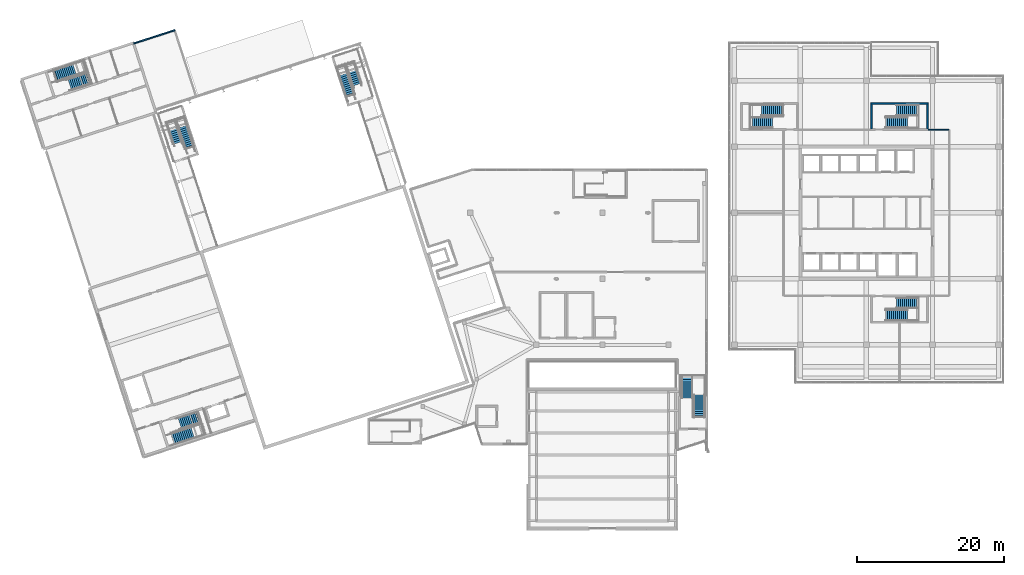
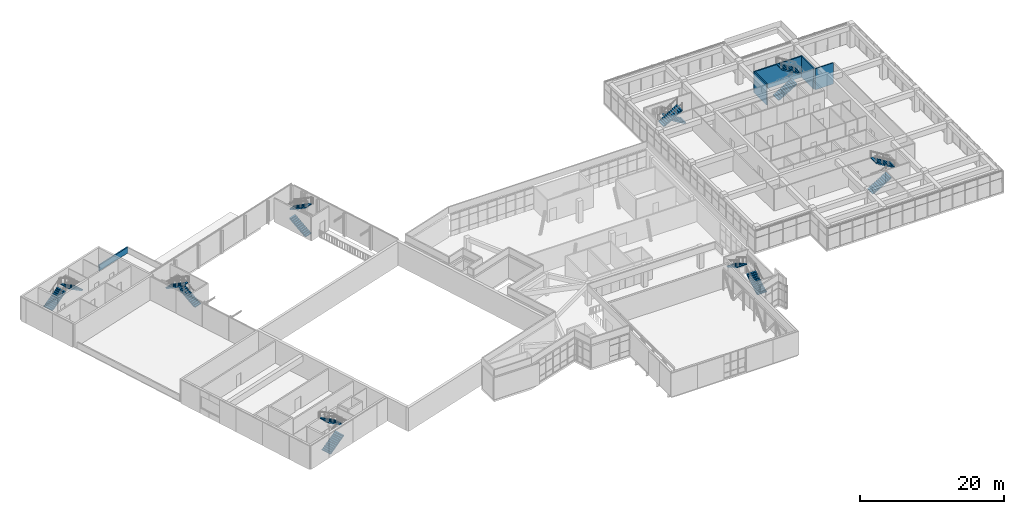
# One storey, part 66 of 72: 16 stair flights, 5 walls, 8 elements without a shape of their own.
"""IFC4 building model written with IfcOpenShell, lengths in metres."""

from ifc_helpers import new_model, si_unit, direction, frame, frame_2d, origin, place, context, subcontext, project, spatial, polyline, rectangle, outline, extrude, material, layer, layer_set, type_object, element, aggregate, save


model = new_model("IFC4")

# Units and contexts
model_context = context("Model", 3, precision=1e-05, world=origin(), true_north=direction((0.0, 1.0)))
body_context = subcontext(model_context, "Body", "Model", "MODEL_VIEW")
ifc_project = project(units=[si_unit("LENGTHUNIT", "METRE"), si_unit("AREAUNIT", "SQUARE_METRE"), si_unit("VOLUMEUNIT", "CUBIC_METRE"), si_unit("PLANEANGLEUNIT", "RADIAN"), si_unit("MASSUNIT", "GRAM", prefix="KILO")], contexts=[model_context])

# Site, building, storey
site_placement = place(None, origin())
site = spatial("IfcSite", under=ifc_project, at=site_placement, CompositionType="ELEMENT")
building_placement = place(site_placement, origin())
building = spatial("IfcBuilding", under=site, at=building_placement, Name="Tuart Plaza Theatre", CompositionType="ELEMENT")
storey_placement = place(building_placement, frame((0.0, 0.0, 13.5)))
storey = spatial("IfcBuildingStorey", under=building, at=storey_placement, Name="L03", CompositionType="ELEMENT", Elevation=13.5)

# Walls
ifc_material_1 = material(Name="Concrete N40 (40 MPa)", Category="concrete")
ifc_layer_1 = layer(ifc_material_1, 0.199951171875)
ifc_layer_set_1 = layer_set([ifc_layer_1], Name="PARAPET RC200 EXT")
wall_type_1 = type_object("IfcWallType", Name="PARAPET RC200 EXT", PredefinedType="PARAPET", material=ifc_layer_set_1)
wall_1_placement = place(storey_placement, frame((32.10791015625, 97.066162109375, 0.0), z_axis=(0.0, 0.0, 1.0), x_axis=(0.951055960514, 0.309018704887, 0.0)))
element("IfcWall", 1, at=wall_1_placement, inside=storey, type_object=wall_type_1, Name="P27", PredefinedType="PARAPET", context=body_context, shape_type="SweptSolid", body=[
    extrude(rectangle(XDim=5.900146484375, YDim=0.199951171875, at=frame_2d((2.9501953125, 0.0))), origin(), (0.0, 0.0, 1.0), 1.0),
])
ifc_material_2 = material(Name="Masonry block", Category="masonry")
ifc_layer_2 = layer(ifc_material_2, 0.14990234375)
ifc_layer_set_2 = layer_set([ifc_layer_2], Name="PARTITION BLK150 MASONRYB FRL 120/-/-")
wall_type_2 = type_object("IfcWallType", Name="PARTITION BLK150 MASONRYB FRL 120/-/-", PredefinedType="PARTITIONING", material=ifc_layer_set_2)
wall_2_placement = place(storey_placement, frame((140.39990234375, 85.300048828125, 0.0), z_axis=(0.0, 0.0, 1.0), x_axis=(1.0, 0.0, 0.0)))
element("IfcWall", 2, at=wall_2_placement, inside=storey, type_object=wall_type_2, Name="P603", PredefinedType="PARTITIONING", context=body_context, shape_type="SweptSolid", body=[
    extrude(rectangle(XDim=2.8251953125, YDim=0.14990234375, at=frame_2d((1.41259765625, 0.0))), origin(), (0.0, 0.0, 1.0), 3.580078125),
])
ifc_material_3 = material(Name="Concrete N40 (40 MPa)", Category="concrete")
ifc_layer_3 = layer(ifc_material_3, 0.199951171875)
ifc_layer_set_3 = layer_set([ifc_layer_3], Name="SHEAR WALL RC200 FRL 120/120/120")
wall_type_3 = type_object("IfcWallType", Name="SHEAR WALL RC200 FRL 120/120/120", PredefinedType="SHEAR", material=ifc_layer_set_3)
wall_3_placement = place(storey_placement, frame((140.300048828125, 85.425048828125, 0.0), z_axis=(0.0, 0.0, 1.0), x_axis=(0.0, 1.0, 0.0)))
element("IfcWall", 3, at=wall_3_placement, inside=storey, type_object=wall_type_3, Name="P425", PredefinedType="SHEAR", context=body_context, shape_type="SweptSolid", body=[
    extrude(rectangle(XDim=3.39990234375, YDim=0.199951171875, at=frame_2d((1.699951171875, 0.0))), origin(), (0.0, 0.0, 1.0), 3.580078125),
])
wall_4_placement = place(storey_placement, frame((140.39990234375, 88.925048828125, 0.0), z_axis=(0.0, 0.0, 1.0), x_axis=(-1.0, 0.0, 0.0)))
element("IfcWall", 4, at=wall_4_placement, inside=storey, type_object=wall_type_3, Name="P426", PredefinedType="SHEAR", context=body_context, shape_type="SweptSolid", body=[
    extrude(rectangle(XDim=7.7998046875, YDim=0.199951171875, at=frame_2d((3.89990234375, 0.0))), origin(), (0.0, 0.0, 1.0), 3.580078125),
])
wall_5_placement = place(storey_placement, frame((132.699951171875, 88.824951171875, 0.0), z_axis=(0.0, 0.0, 1.0), x_axis=(0.0, -1.0, 0.0)))
element("IfcWall", 5, at=wall_5_placement, inside=storey, type_object=wall_type_3, Name="P427", PredefinedType="SHEAR", context=body_context, shape_type="SweptSolid", body=[
    extrude(rectangle(XDim=3.39990234375, YDim=0.199951171875, at=frame_2d((1.699951171875, 0.0))), origin(), (0.0, 0.0, 1.0), 3.580078125),
])

# Stair, stair flights
ifc_material_4 = material(Name="Concrete N40 (40 MPa)", Category="concrete")
stair_type_1 = type_object("IfcStairType", Name="STAIR half turn 1600", PredefinedType="HALF_TURN_STAIR", material=ifc_material_4)
stair_1_placement = place(storey_placement, origin())
stair_1 = element("IfcStair", 6, at=stair_1_placement, inside=storey, type_object=stair_type_1, Name="SA-1", PredefinedType="HALF_TURN_STAIR")
ifc_material_5 = material(Name="Concrete N40 (40 MPa)", Category="concrete")
stair_flight_type_1 = type_object("IfcStairFlightType", Name="STAIR FLIGHT 166.7 260 1600", PredefinedType="STRAIGHT", material=ifc_material_5)
stair_flight_1_placement = place(storey_placement, frame((37.430419921875, 43.14697265625, 0.0), z_axis=(0.0, 0.0, 1.0), x_axis=(0.951056516295, 0.309016994375, 0.0)))
stair_flight_1 = element("IfcStairFlight", 7, at=stair_flight_1_placement, type_object=stair_flight_type_1, Name="SA-1 flight 1", NumberOfRisers=12, NumberOfTreads=11, PredefinedType="STRAIGHT", RiserHeight=0.166666667, TreadLength=0.26, context=body_context, shape_type="SweptSolid", body=[
    extrude(outline(polyline([(0.0, 0.0), (0.0, 0.166748046875), (0.260009765625, 0.166748046875), (0.260009765625, 0.333251953125), (0.52001953125, 0.333251953125), (0.52001953125, 0.5), (0.780029296875, 0.5), (0.780029296875, 0.666748046875), (1.0400390625, 0.666748046875), (1.0400390625, 0.833251953125), (1.300048828125, 0.833251953125), (1.300048828125, 1.0), (1.56005859375, 1.0), (1.56005859375, 1.166748046875), (1.820068359375, 1.166748046875), (1.820068359375, 1.333251953125), (2.080078125, 1.333251953125), (2.080078125, 1.5), (2.340087890625, 1.5), (2.340087890625, 1.666748046875), (2.60009765625, 1.666748046875), (2.60009765625, 1.833251953125), (2.860107421875, 1.833251953125), (2.860107421875, 2.0), (2.860107421875, 1.6552734375), (0.27783203125, 0.0), (0.0, 0.0)])), frame((0.0, 0.800048828125, 0.0), z_axis=(0.0, -1.0, 0.0), x_axis=(1.0, 0.0, 0.0)), (0.0, 0.0, 1.0), 1.60009765625),
])
stair_flight_2_placement = place(storey_placement, frame((41.13134765625, 46.189453125, 2.0), z_axis=(0.0, 0.0, 1.0), x_axis=(-0.951056516295, -0.309016994375, 0.0)))
stair_flight_2 = element("IfcStairFlight", 8, at=stair_flight_2_placement, type_object=stair_flight_type_1, Name="SA-1 flight 2", NumberOfRisers=12, NumberOfTreads=11, PredefinedType="STRAIGHT", RiserHeight=0.166666667, TreadLength=0.26, context=body_context, shape_type="SweptSolid", body=[
    extrude(outline(polyline([(0.0, 0.0), (0.0, 0.166748046875), (0.260009765625, 0.166748046875), (0.260009765625, 0.333251953125), (0.52001953125, 0.333251953125), (0.52001953125, 0.5), (0.780029296875, 0.5), (0.780029296875, 0.666748046875), (1.0400390625, 0.666748046875), (1.0400390625, 0.833251953125), (1.300048828125, 0.833251953125), (1.300048828125, 1.0), (1.56005859375, 1.0), (1.56005859375, 1.166748046875), (1.820068359375, 1.166748046875), (1.820068359375, 1.333251953125), (2.080078125, 1.333251953125), (2.080078125, 1.5), (2.340087890625, 1.5), (2.340087890625, 1.666748046875), (2.60009765625, 1.666748046875), (2.60009765625, 1.833251953125), (2.860107421875, 1.833251953125), (2.860107421875, 2.0), (2.860107421875, 1.6552734375), (0.27783203125, 0.0), (0.0, 0.0)])), frame((0.0, 0.800048828125, 0.0), z_axis=(0.0, -1.0, 0.0), x_axis=(1.0, 0.0, 0.0)), (0.0, 0.0, 1.0), 1.60009765625),
])
aggregate(stair_1, [stair_flight_1, stair_flight_2])

stair_2_placement = place(storey_placement, origin())
stair_2 = element("IfcStair", 9, at=stair_2_placement, inside=storey, type_object=stair_type_1, Name="SA-2", PredefinedType="HALF_TURN_STAIR")
stair_flight_3_placement = place(storey_placement, frame((21.345947265625, 92.6494140625, 0.0), z_axis=(0.0, 0.0, 1.0), x_axis=(0.951056516295, 0.309016994375, 0.0)))
stair_flight_3 = element("IfcStairFlight", 10, at=stair_flight_3_placement, type_object=stair_flight_type_1, Name="SA-2 flight 1", NumberOfRisers=12, NumberOfTreads=11, PredefinedType="STRAIGHT", RiserHeight=0.166666667, TreadLength=0.26, context=body_context, shape_type="SweptSolid", body=[
    extrude(outline(polyline([(0.0, 0.0), (0.0, 0.166748046875), (0.260009765625, 0.166748046875), (0.260009765625, 0.333251953125), (0.52001953125, 0.333251953125), (0.52001953125, 0.5), (0.780029296875, 0.5), (0.780029296875, 0.666748046875), (1.0400390625, 0.666748046875), (1.0400390625, 0.833251953125), (1.300048828125, 0.833251953125), (1.300048828125, 1.0), (1.56005859375, 1.0), (1.56005859375, 1.166748046875), (1.820068359375, 1.166748046875), (1.820068359375, 1.333251953125), (2.080078125, 1.333251953125), (2.080078125, 1.5), (2.340087890625, 1.5), (2.340087890625, 1.666748046875), (2.60009765625, 1.666748046875), (2.60009765625, 1.833251953125), (2.860107421875, 1.833251953125), (2.860107421875, 2.0), (2.860107421875, 1.6552734375), (0.27783203125, 0.0), (0.0, 0.0)])), frame((0.0, 0.800048828125, 0.0), z_axis=(0.0, -1.0, 0.0), x_axis=(1.0, 0.0, 0.0)), (0.0, 0.0, 1.0), 1.60009765625),
])
stair_flight_4_placement = place(storey_placement, frame((26.128662109375, 92.36328125, 2.0), z_axis=(0.0, 0.0, 1.0), x_axis=(-0.951056516295, -0.309016994375, 0.0)))
stair_flight_4 = element("IfcStairFlight", 11, at=stair_flight_4_placement, type_object=stair_flight_type_1, Name="SA-2 flight 2", NumberOfRisers=12, NumberOfTreads=11, PredefinedType="STRAIGHT", RiserHeight=0.166666667, TreadLength=0.26, context=body_context, shape_type="SweptSolid", body=[
    extrude(outline(polyline([(0.0, 0.0), (0.0, 0.166748046875), (0.260009765625, 0.166748046875), (0.260009765625, 0.333251953125), (0.52001953125, 0.333251953125), (0.52001953125, 0.5), (0.780029296875, 0.5), (0.780029296875, 0.666748046875), (1.0400390625, 0.666748046875), (1.0400390625, 0.833251953125), (1.300048828125, 0.833251953125), (1.300048828125, 1.0), (1.56005859375, 1.0), (1.56005859375, 1.166748046875), (1.820068359375, 1.166748046875), (1.820068359375, 1.333251953125), (2.080078125, 1.333251953125), (2.080078125, 1.5), (2.340087890625, 1.5), (2.340087890625, 1.666748046875), (2.60009765625, 1.666748046875), (2.60009765625, 1.833251953125), (2.860107421875, 1.833251953125), (2.860107421875, 2.0), (2.860107421875, 1.6552734375), (0.27783203125, 0.0), (0.0, 0.0)])), frame((0.0, 0.800048828125, 0.0), z_axis=(0.0, -1.0, 0.0), x_axis=(1.0, 0.0, 0.0)), (0.0, 0.0, 1.0), 1.60009765625),
])
aggregate(stair_2, [stair_flight_3, stair_flight_4])

ifc_material_6 = material(Name="Concrete N40 (40 MPa)", Category="concrete")
stair_type_2 = type_object("IfcStairType", Name="STAIR half turn 1500", PredefinedType="HALF_TURN_STAIR", material=ifc_material_6)
stair_3_placement = place(storey_placement, origin())
stair_3 = element("IfcStair", 12, at=stair_3_placement, inside=storey, type_object=stair_type_2, Name="SC-2", PredefinedType="HALF_TURN_STAIR")
ifc_material_7 = material(Name="Concrete N40 (40 MPa)", Category="concrete")
stair_flight_type_2 = type_object("IfcStairFlightType", Name="STAIR FLIGHT 166.7 275 1500", PredefinedType="STRAIGHT", material=ifc_material_7)
stair_flight_5_placement = place(storey_placement, frame((134.594970703125, 60.050048828125, 0.0), z_axis=(0.0, 0.0, 1.0), x_axis=(1.0, 0.0, 0.0)))
stair_flight_5 = element("IfcStairFlight", 13, at=stair_flight_5_placement, type_object=stair_flight_type_2, Name="SC-2 flight 1", NumberOfRisers=12, NumberOfTreads=11, PredefinedType="STRAIGHT", RiserHeight=0.166666667, TreadLength=0.275, context=body_context, shape_type="SweptSolid", body=[
    extrude(outline(polyline([(0.0, 0.0), (0.0, 0.166748046875), (0.27490234375, 0.166748046875), (0.27490234375, 0.333251953125), (0.550048828125, 0.333251953125), (0.550048828125, 0.5), (0.824951171875, 0.5), (0.824951171875, 0.666748046875), (1.10009765625, 0.666748046875), (1.10009765625, 0.833251953125), (1.375, 0.833251953125), (1.375, 1.0), (1.64990234375, 1.0), (1.64990234375, 1.166748046875), (1.925048828125, 1.166748046875), (1.925048828125, 1.333251953125), (2.199951171875, 1.333251953125), (2.199951171875, 1.5), (2.47509765625, 1.5), (2.47509765625, 1.666748046875), (2.75, 1.666748046875), (2.75, 1.833251953125), (3.02490234375, 1.833251953125), (3.02490234375, 2.0), (3.02490234375, 1.657958984375), (0.289306640625, 0.0), (0.0, 0.0)])), frame((0.0, 0.75, 0.0), z_axis=(0.0, -1.0, 0.0), x_axis=(1.0, 0.0, 0.0)), (0.0, 0.0, 1.0), 1.5),
])
stair_flight_6_placement = place(storey_placement, frame((139.1201171875, 61.699951171875, 2.0), z_axis=(0.0, 0.0, 1.0), x_axis=(-1.0, 0.0, 0.0)))
stair_flight_6 = element("IfcStairFlight", 14, at=stair_flight_6_placement, type_object=stair_flight_type_2, Name="SC-2 flight 2", NumberOfRisers=12, NumberOfTreads=11, PredefinedType="STRAIGHT", RiserHeight=0.166666667, TreadLength=0.275, context=body_context, shape_type="SweptSolid", body=[
    extrude(outline(polyline([(0.0, 0.0), (0.0, 0.166748046875), (0.27490234375, 0.166748046875), (0.27490234375, 0.333251953125), (0.550048828125, 0.333251953125), (0.550048828125, 0.5), (0.824951171875, 0.5), (0.824951171875, 0.666748046875), (1.10009765625, 0.666748046875), (1.10009765625, 0.833251953125), (1.375, 0.833251953125), (1.375, 1.0), (1.64990234375, 1.0), (1.64990234375, 1.166748046875), (1.925048828125, 1.166748046875), (1.925048828125, 1.333251953125), (2.199951171875, 1.333251953125), (2.199951171875, 1.5), (2.47509765625, 1.5), (2.47509765625, 1.666748046875), (2.75, 1.666748046875), (2.75, 1.833251953125), (3.02490234375, 1.833251953125), (3.02490234375, 2.0), (3.02490234375, 1.657958984375), (0.289306640625, 0.0), (0.0, 0.0)])), frame((0.0, 0.75, 0.0), z_axis=(0.0, -1.0, 0.0), x_axis=(1.0, 0.0, 0.0)), (0.0, 0.0, 1.0), 1.5),
])
aggregate(stair_3, [stair_flight_5, stair_flight_6])

stair_4_placement = place(storey_placement, origin())
stair_4 = element("IfcStair", 15, at=stair_4_placement, inside=storey, type_object=stair_type_2, Name="SC-8", PredefinedType="HALF_TURN_STAIR")
stair_flight_7_placement = place(storey_placement, frame((134.594970703125, 86.300048828125, 0.0), z_axis=(0.0, 0.0, 1.0), x_axis=(1.0, 0.0, 0.0)))
stair_flight_7 = element("IfcStairFlight", 16, at=stair_flight_7_placement, type_object=stair_flight_type_2, Name="SC-8 flight 1", NumberOfRisers=12, NumberOfTreads=11, PredefinedType="STRAIGHT", RiserHeight=0.166666667, TreadLength=0.275, context=body_context, shape_type="SweptSolid", body=[
    extrude(outline(polyline([(0.0, 0.0), (0.0, 0.166748046875), (0.27490234375, 0.166748046875), (0.27490234375, 0.333251953125), (0.550048828125, 0.333251953125), (0.550048828125, 0.5), (0.824951171875, 0.5), (0.824951171875, 0.666748046875), (1.10009765625, 0.666748046875), (1.10009765625, 0.833251953125), (1.375, 0.833251953125), (1.375, 1.0), (1.64990234375, 1.0), (1.64990234375, 1.166748046875), (1.925048828125, 1.166748046875), (1.925048828125, 1.333251953125), (2.199951171875, 1.333251953125), (2.199951171875, 1.5), (2.47509765625, 1.5), (2.47509765625, 1.666748046875), (2.75, 1.666748046875), (2.75, 1.833251953125), (3.02490234375, 1.833251953125), (3.02490234375, 2.0), (3.02490234375, 1.657958984375), (0.289306640625, 0.0), (0.0, 0.0)])), frame((0.0, 0.75, 0.0), z_axis=(0.0, -1.0, 0.0), x_axis=(1.0, 0.0, 0.0)), (0.0, 0.0, 1.0), 1.5),
])
stair_flight_8_placement = place(storey_placement, frame((139.1201171875, 87.949951171875, 2.0), z_axis=(0.0, 0.0, 1.0), x_axis=(-1.0, 0.0, 0.0)))
stair_flight_8 = element("IfcStairFlight", 17, at=stair_flight_8_placement, type_object=stair_flight_type_2, Name="SC-8 flight 2", NumberOfRisers=12, NumberOfTreads=11, PredefinedType="STRAIGHT", RiserHeight=0.166666667, TreadLength=0.275, context=body_context, shape_type="SweptSolid", body=[
    extrude(outline(polyline([(0.0, 0.0), (0.0, 0.166748046875), (0.27490234375, 0.166748046875), (0.27490234375, 0.333251953125), (0.550048828125, 0.333251953125), (0.550048828125, 0.5), (0.824951171875, 0.5), (0.824951171875, 0.666748046875), (1.10009765625, 0.666748046875), (1.10009765625, 0.833251953125), (1.375, 0.833251953125), (1.375, 1.0), (1.64990234375, 1.0), (1.64990234375, 1.166748046875), (1.925048828125, 1.166748046875), (1.925048828125, 1.333251953125), (2.199951171875, 1.333251953125), (2.199951171875, 1.5), (2.47509765625, 1.5), (2.47509765625, 1.666748046875), (2.75, 1.666748046875), (2.75, 1.833251953125), (3.02490234375, 1.833251953125), (3.02490234375, 2.0), (3.02490234375, 1.657958984375), (0.289306640625, 0.0), (0.0, 0.0)])), frame((0.0, 0.75, 0.0), z_axis=(0.0, -1.0, 0.0), x_axis=(1.0, 0.0, 0.0)), (0.0, 0.0, 1.0), 1.5),
])
aggregate(stair_4, [stair_flight_7, stair_flight_8])

stair_5_placement = place(storey_placement, origin())
stair_5 = element("IfcStair", 18, at=stair_5_placement, inside=storey, type_object=stair_type_2, Name="SC-14", PredefinedType="HALF_TURN_STAIR")
stair_flight_9_placement = place(storey_placement, frame((120.705078125, 87.949951171875, 0.0), z_axis=(0.0, 0.0, 1.0), x_axis=(-1.0, 0.0, 0.0)))
stair_flight_9 = element("IfcStairFlight", 19, at=stair_flight_9_placement, type_object=stair_flight_type_2, Name="SC-14 flight 1", NumberOfRisers=12, NumberOfTreads=11, PredefinedType="STRAIGHT", RiserHeight=0.166666667, TreadLength=0.275, context=body_context, shape_type="SweptSolid", body=[
    extrude(outline(polyline([(0.0, 0.0), (0.0, 0.166748046875), (0.27490234375, 0.166748046875), (0.27490234375, 0.333251953125), (0.550048828125, 0.333251953125), (0.550048828125, 0.5), (0.824951171875, 0.5), (0.824951171875, 0.666748046875), (1.10009765625, 0.666748046875), (1.10009765625, 0.833251953125), (1.375, 0.833251953125), (1.375, 1.0), (1.64990234375, 1.0), (1.64990234375, 1.166748046875), (1.925048828125, 1.166748046875), (1.925048828125, 1.333251953125), (2.199951171875, 1.333251953125), (2.199951171875, 1.5), (2.47509765625, 1.5), (2.47509765625, 1.666748046875), (2.75, 1.666748046875), (2.75, 1.833251953125), (3.02490234375, 1.833251953125), (3.02490234375, 2.0), (3.02490234375, 1.657958984375), (0.289306640625, 0.0), (0.0, 0.0)])), frame((0.0, 0.75, 0.0), z_axis=(0.0, -1.0, 0.0), x_axis=(1.0, 0.0, 0.0)), (0.0, 0.0, 1.0), 1.5),
])
stair_flight_10_placement = place(storey_placement, frame((116.179931640625, 86.300048828125, 2.0), z_axis=(0.0, 0.0, 1.0), x_axis=(1.0, 0.0, 0.0)))
stair_flight_10 = element("IfcStairFlight", 20, at=stair_flight_10_placement, type_object=stair_flight_type_2, Name="SC-14 flight 2", NumberOfRisers=12, NumberOfTreads=11, PredefinedType="STRAIGHT", RiserHeight=0.166666667, TreadLength=0.275, context=body_context, shape_type="SweptSolid", body=[
    extrude(outline(polyline([(0.0, 0.0), (0.0, 0.166748046875), (0.27490234375, 0.166748046875), (0.27490234375, 0.333251953125), (0.550048828125, 0.333251953125), (0.550048828125, 0.5), (0.824951171875, 0.5), (0.824951171875, 0.666748046875), (1.10009765625, 0.666748046875), (1.10009765625, 0.833251953125), (1.375, 0.833251953125), (1.375, 1.0), (1.64990234375, 1.0), (1.64990234375, 1.166748046875), (1.925048828125, 1.166748046875), (1.925048828125, 1.333251953125), (2.199951171875, 1.333251953125), (2.199951171875, 1.5), (2.47509765625, 1.5), (2.47509765625, 1.666748046875), (2.75, 1.666748046875), (2.75, 1.833251953125), (3.02490234375, 1.833251953125), (3.02490234375, 2.0), (3.02490234375, 1.657958984375), (0.289306640625, 0.0), (0.0, 0.0)])), frame((0.0, 0.75, 0.0), z_axis=(0.0, -1.0, 0.0), x_axis=(1.0, 0.0, 0.0)), (0.0, 0.0, 1.0), 1.5),
])
aggregate(stair_5, [stair_flight_9, stair_flight_10])

ifc_material_8 = material(Name="Concrete N40 (40 MPa)", Category="concrete")
stair_type_3 = type_object("IfcStairType", Name="STAIR half turn 1200", PredefinedType="HALF_TURN_STAIR", material=ifc_material_8)
stair_6_placement = place(storey_placement, origin())
stair_6 = element("IfcStair", 21, at=stair_6_placement, inside=storey, type_object=stair_type_3, Name="SA-4", PredefinedType="HALF_TURN_STAIR")
ifc_material_9 = material(Name="Concrete N40 (40 MPa)", Category="concrete")
stair_flight_type_3 = type_object("IfcStairFlightType", Name="STAIR FLIGHT 166.7 280 1200", PredefinedType="STRAIGHT", material=ifc_material_9)
stair_flight_11_placement = place(storey_placement, frame((39.7744140625, 82.807373046875, 0.0), z_axis=(0.0, 0.0, 1.0), x_axis=(-0.309016994375, 0.951056516295, 0.0)))
stair_flight_11 = element("IfcStairFlight", 22, at=stair_flight_11_placement, type_object=stair_flight_type_3, Name="SA-4 flight 1", NumberOfRisers=12, NumberOfTreads=11, PredefinedType="STRAIGHT", RiserHeight=0.166666667, TreadLength=0.28, context=body_context, shape_type="SweptSolid", body=[
    extrude(outline(polyline([(0.0, 0.0), (0.0, 0.166748046875), (0.280029296875, 0.166748046875), (0.280029296875, 0.333251953125), (0.56005859375, 0.333251953125), (0.56005859375, 0.5), (0.840087890625, 0.5), (0.840087890625, 0.666748046875), (1.1201171875, 0.666748046875), (1.1201171875, 0.833251953125), (1.39990234375, 0.833251953125), (1.39990234375, 1.0), (1.679931640625, 1.0), (1.679931640625, 1.166748046875), (1.9599609375, 1.166748046875), (1.9599609375, 1.333251953125), (2.239990234375, 1.333251953125), (2.239990234375, 1.5), (2.52001953125, 1.5), (2.52001953125, 1.666748046875), (2.800048828125, 1.666748046875), (2.800048828125, 1.833251953125), (3.080078125, 1.833251953125), (3.080078125, 2.0), (3.080078125, 1.658935546875), (0.29296875, 0.0), (0.0, 0.0)])), frame((0.0, 0.60009765625, 0.0), z_axis=(0.0, -1.0, 0.0), x_axis=(1.0, 0.0, 0.0)), (0.0, 0.0, 1.0), 1.199951171875),
])
stair_flight_12_placement = place(storey_placement, frame((37.167724609375, 86.460693359375, 2.0), z_axis=(0.0, 0.0, 1.0), x_axis=(0.309016994375, -0.951056516295, 0.0)))
stair_flight_12 = element("IfcStairFlight", 23, at=stair_flight_12_placement, type_object=stair_flight_type_3, Name="SA-4 flight 2", NumberOfRisers=12, NumberOfTreads=11, PredefinedType="STRAIGHT", RiserHeight=0.166666667, TreadLength=0.28, context=body_context, shape_type="SweptSolid", body=[
    extrude(outline(polyline([(0.0, 0.0), (0.0, 0.166748046875), (0.280029296875, 0.166748046875), (0.280029296875, 0.333251953125), (0.56005859375, 0.333251953125), (0.56005859375, 0.5), (0.840087890625, 0.5), (0.840087890625, 0.666748046875), (1.1201171875, 0.666748046875), (1.1201171875, 0.833251953125), (1.39990234375, 0.833251953125), (1.39990234375, 1.0), (1.679931640625, 1.0), (1.679931640625, 1.166748046875), (1.9599609375, 1.166748046875), (1.9599609375, 1.333251953125), (2.239990234375, 1.333251953125), (2.239990234375, 1.5), (2.52001953125, 1.5), (2.52001953125, 1.666748046875), (2.800048828125, 1.666748046875), (2.800048828125, 1.833251953125), (3.080078125, 1.833251953125), (3.080078125, 2.0), (3.080078125, 1.658935546875), (0.29296875, 0.0), (0.0, 0.0)])), frame((0.0, 0.60009765625, 0.0), z_axis=(0.0, -1.0, 0.0), x_axis=(1.0, 0.0, 0.0)), (0.0, 0.0, 1.0), 1.199951171875),
])
aggregate(stair_6, [stair_flight_11, stair_flight_12])

stair_7_placement = place(storey_placement, origin())
stair_7 = element("IfcStair", 24, at=stair_7_placement, inside=storey, type_object=stair_type_3, Name="SA-5", PredefinedType="HALF_TURN_STAIR")
stair_flight_13_placement = place(storey_placement, frame((61.6533203125, 89.916259765625, 0.0), z_axis=(0.0, 0.0, 1.0), x_axis=(-0.309016994375, 0.951056516295, 0.0)))
stair_flight_13 = element("IfcStairFlight", 25, at=stair_flight_13_placement, type_object=stair_flight_type_3, Name="SA-5 flight 1", NumberOfRisers=12, NumberOfTreads=11, PredefinedType="STRAIGHT", RiserHeight=0.166666667, TreadLength=0.28, context=body_context, shape_type="SweptSolid", body=[
    extrude(outline(polyline([(0.0, 0.0), (0.0, 0.166748046875), (0.280029296875, 0.166748046875), (0.280029296875, 0.333251953125), (0.56005859375, 0.333251953125), (0.56005859375, 0.5), (0.840087890625, 0.5), (0.840087890625, 0.666748046875), (1.1201171875, 0.666748046875), (1.1201171875, 0.833251953125), (1.39990234375, 0.833251953125), (1.39990234375, 1.0), (1.679931640625, 1.0), (1.679931640625, 1.166748046875), (1.9599609375, 1.166748046875), (1.9599609375, 1.333251953125), (2.239990234375, 1.333251953125), (2.239990234375, 1.5), (2.52001953125, 1.5), (2.52001953125, 1.666748046875), (2.800048828125, 1.666748046875), (2.800048828125, 1.833251953125), (3.080078125, 1.833251953125), (3.080078125, 2.0), (3.080078125, 1.658935546875), (0.29296875, 0.0), (0.0, 0.0)])), frame((0.0, 0.60009765625, 0.0), z_axis=(0.0, -1.0, 0.0), x_axis=(1.0, 0.0, 0.0)), (0.0, 0.0, 1.0), 1.199951171875),
])
stair_flight_14_placement = place(storey_placement, frame((61.61474609375, 94.404052734375, 2.0), z_axis=(0.0, 0.0, 1.0), x_axis=(0.309016994375, -0.951056516295, 0.0)))
stair_flight_14 = element("IfcStairFlight", 26, at=stair_flight_14_placement, type_object=stair_flight_type_3, Name="SA-5 flight 2", NumberOfRisers=12, NumberOfTreads=11, PredefinedType="STRAIGHT", RiserHeight=0.166666667, TreadLength=0.28, context=body_context, shape_type="SweptSolid", body=[
    extrude(outline(polyline([(0.0, 0.0), (0.0, 0.166748046875), (0.280029296875, 0.166748046875), (0.280029296875, 0.333251953125), (0.56005859375, 0.333251953125), (0.56005859375, 0.5), (0.840087890625, 0.5), (0.840087890625, 0.666748046875), (1.1201171875, 0.666748046875), (1.1201171875, 0.833251953125), (1.39990234375, 0.833251953125), (1.39990234375, 1.0), (1.679931640625, 1.0), (1.679931640625, 1.166748046875), (1.9599609375, 1.166748046875), (1.9599609375, 1.333251953125), (2.239990234375, 1.333251953125), (2.239990234375, 1.5), (2.52001953125, 1.5), (2.52001953125, 1.666748046875), (2.800048828125, 1.666748046875), (2.800048828125, 1.833251953125), (3.080078125, 1.833251953125), (3.080078125, 2.0), (3.080078125, 1.658935546875), (0.29296875, 0.0), (0.0, 0.0)])), frame((0.0, 0.60009765625, 0.0), z_axis=(0.0, -1.0, 0.0), x_axis=(1.0, 0.0, 0.0)), (0.0, 0.0, 1.0), 1.199951171875),
])
aggregate(stair_7, [stair_flight_13, stair_flight_14])

stair_8_placement = place(storey_placement, origin())
stair_8 = element("IfcStair", 27, at=stair_8_placement, inside=storey, type_object=stair_type_2, Name="SB-10", PredefinedType="HALF_TURN_STAIR")
ifc_material_10 = material(Name="Concrete N40 (40 MPa)", Category="concrete")
stair_flight_type_4 = type_object("IfcStairFlightType", Name="STAIR FLIGHT 166.7 280 1500", PredefinedType="STRAIGHT", material=ifc_material_10)
stair_flight_15_placement = place(storey_placement, frame((109.205078125, 46.10009765625, 0.0), z_axis=(0.0, 0.0, 1.0), x_axis=(0.0, 1.0, 0.0)))
stair_flight_15 = element("IfcStairFlight", 28, at=stair_flight_15_placement, type_object=stair_flight_type_4, Name="SB-10 flight 1", NumberOfRisers=12, NumberOfTreads=11, PredefinedType="STRAIGHT", RiserHeight=0.166666667, TreadLength=0.28, context=body_context, shape_type="SweptSolid", body=[
    extrude(outline(polyline([(0.0, 0.0), (0.0, 0.166748046875), (0.280029296875, 0.166748046875), (0.280029296875, 0.333251953125), (0.56005859375, 0.333251953125), (0.56005859375, 0.5), (0.840087890625, 0.5), (0.840087890625, 0.666748046875), (1.1201171875, 0.666748046875), (1.1201171875, 0.833251953125), (1.39990234375, 0.833251953125), (1.39990234375, 1.0), (1.679931640625, 1.0), (1.679931640625, 1.166748046875), (1.9599609375, 1.166748046875), (1.9599609375, 1.333251953125), (2.239990234375, 1.333251953125), (2.239990234375, 1.5), (2.52001953125, 1.5), (2.52001953125, 1.666748046875), (2.800048828125, 1.666748046875), (2.800048828125, 1.833251953125), (3.080078125, 1.833251953125), (3.080078125, 2.0), (3.080078125, 1.658935546875), (0.29296875, 0.0), (0.0, 0.0)])), frame((0.0, 0.75, 0.0), z_axis=(0.0, -1.0, 0.0), x_axis=(1.0, 0.0, 0.0)), (0.0, 0.0, 1.0), 1.5),
])
stair_flight_16_placement = place(storey_placement, frame((107.554931640625, 51.800048828125, 2.0), z_axis=(0.0, 0.0, 1.0), x_axis=(0.0, -1.0, 0.0)))
stair_flight_16 = element("IfcStairFlight", 29, at=stair_flight_16_placement, type_object=stair_flight_type_4, Name="SB-10 flight 2", NumberOfRisers=12, NumberOfTreads=11, PredefinedType="STRAIGHT", RiserHeight=0.166666667, TreadLength=0.28, context=body_context, shape_type="SweptSolid", body=[
    extrude(outline(polyline([(0.0, 0.0), (0.0, 0.166748046875), (0.280029296875, 0.166748046875), (0.280029296875, 0.333251953125), (0.56005859375, 0.333251953125), (0.56005859375, 0.5), (0.840087890625, 0.5), (0.840087890625, 0.666748046875), (1.1201171875, 0.666748046875), (1.1201171875, 0.833251953125), (1.39990234375, 0.833251953125), (1.39990234375, 1.0), (1.679931640625, 1.0), (1.679931640625, 1.166748046875), (1.9599609375, 1.166748046875), (1.9599609375, 1.333251953125), (2.239990234375, 1.333251953125), (2.239990234375, 1.5), (2.52001953125, 1.5), (2.52001953125, 1.666748046875), (2.800048828125, 1.666748046875), (2.800048828125, 1.833251953125), (3.080078125, 1.833251953125), (3.080078125, 2.0), (3.080078125, 1.658935546875), (0.29296875, 0.0), (0.0, 0.0)])), frame((0.0, 0.75, 0.0), z_axis=(0.0, -1.0, 0.0), x_axis=(1.0, 0.0, 0.0)), (0.0, 0.0, 1.0), 1.5),
])
aggregate(stair_8, [stair_flight_15, stair_flight_16])

save(model, "model.ifc")
